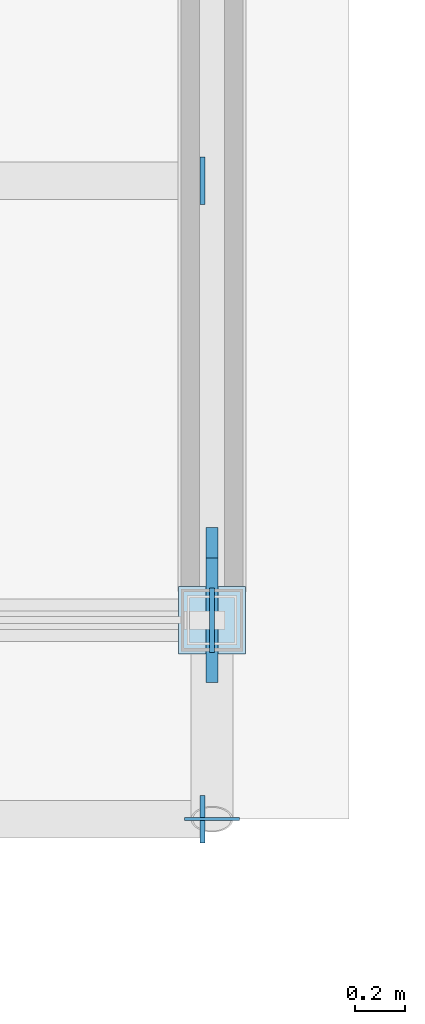
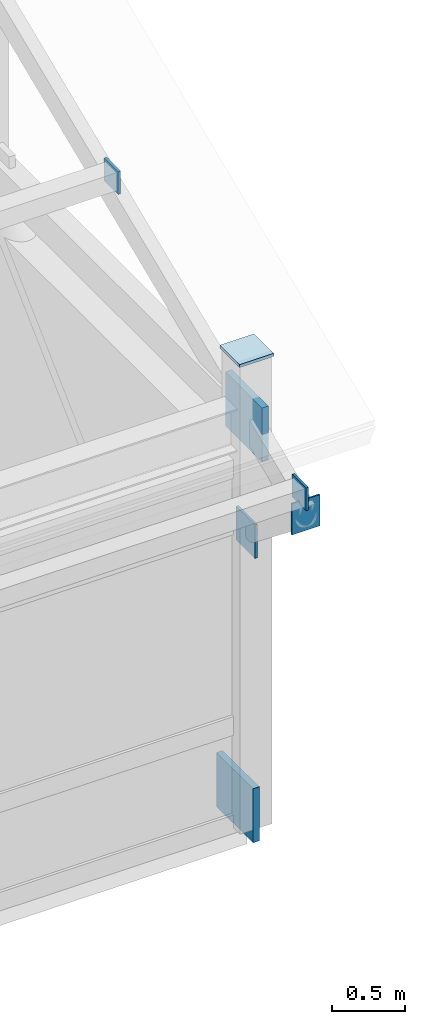
# One storey, part 5 of 11: 7 plates.
"""IFC4 building model written with IfcOpenShell, lengths in metres."""

from ifc_helpers import new_model, si_unit, direction, frame, origin, origin_2d, place, context, subcontext, project, spatial, rectangle, extrude, material, layer, layer_set, type_object, element, save


model = new_model("IFC4")

# Units and contexts
model_context = context("Model", 3, precision=1e-05, world=origin(), true_north=direction((0.0, 1.0)))
body_context = subcontext(model_context, "Body", "Model", "MODEL_VIEW")
ifc_project = project(units=[si_unit("LENGTHUNIT", "METRE"), si_unit("AREAUNIT", "SQUARE_METRE"), si_unit("VOLUMEUNIT", "CUBIC_METRE"), si_unit("PLANEANGLEUNIT", "RADIAN"), si_unit("MASSUNIT", "GRAM", prefix="KILO")], contexts=[model_context])

# Site, building, storey
site_placement = place(None, origin())
site = spatial("IfcSite", under=ifc_project, at=site_placement, CompositionType="ELEMENT")
building_placement = place(site_placement, origin())
building = spatial("IfcBuilding", under=site, at=building_placement, Name="Trelmorton Wharf Fire Station", CompositionType="ELEMENT")
storey_placement = place(building_placement, frame((0.0, 0.0, 25.199951171875)))
storey = spatial("IfcBuildingStorey", under=building, at=storey_placement, Name="L06", CompositionType="ELEMENT", Elevation=25.199951171875)

# Plates
ifc_material = material(Name="Steel Grade 350", Category="steel")
ifc_layer_1 = layer(ifc_material, 0.011962890625)
ifc_layer_set_1 = layer_set([ifc_layer_1], Name="Steel Grade 350")
plate_type_1 = type_object("IfcPlateType", Name="PL_ENDCAP_12", PredefinedType="SHEET", material=ifc_layer_set_1)
plate_1_placement = place(storey_placement, frame((90.0, 59.5, 2.90087890625), z_axis=(0.0, 0.0, 1.0), x_axis=(1.0, 0.0, 0.0)))
element("IfcPlate", 1, at=plate_1_placement, inside=storey, type_object=plate_type_1, Name="PL-EC-0147", PredefinedType="SHEET", context=body_context, shape_type="SweptSolid", body=[
    extrude(rectangle(XDim=0.219970703125, YDim=0.011962890625, at=origin_2d()), origin(), (0.0, 0.0, 1.0), 0.260009765625),
])
for number, where, z_axis, x_axis, name in (
    (2, (89.9609375, 59.5, 3.135498046875), (0.0, 0.0, 1.0), (1.0, 0.0, 0.0), "PL-PREC-B-0180"),
    (3, (89.9609375, 62.066650390625, 4.21435546875), (0.0, 0.0, 1.0), (1.0, 0.0, 0.0), "PL-PREC-B-0182"),
):
    element("IfcPlate", number, at=place(storey_placement, frame(where, z_axis=z_axis, x_axis=x_axis)), inside=storey, type_object=plate_type_1, Name=name, PredefinedType="SHEET", context=body_context, shape_type="SweptSolid", body=[
        extrude(rectangle(XDim=0.02001953125, YDim=0.18994140625, at=origin_2d()), origin(), (0.0, 0.0, 1.0), 0.18994140625),
    ])
ifc_layer_2 = layer(ifc_material, 0.02001953125)
ifc_layer_set_2 = layer_set([ifc_layer_2], Name="Steel Grade 350")
plate_type_2 = type_object("IfcPlateType", Name="PL_ENDCAP_20", PredefinedType="SHEET", material=ifc_layer_set_2)
plate_2_placement = place(storey_placement, frame((90.0, 60.300048828125, 3.898193359375), z_axis=(0.0, 0.0, 1.0), x_axis=(1.0, 0.0, 0.0)))
element("IfcPlate", 4, at=plate_2_placement, inside=storey, type_object=plate_type_2, Name="PL-COLCAP-T-0803", PredefinedType="SHEET", context=body_context, shape_type="SweptSolid", body=[
    extrude(rectangle(XDim=0.27001953125, YDim=0.27001953125, at=origin_2d()), origin(), (0.0, 0.0, 1.0), 0.02392578125),
])
plate_3_placement = place(storey_placement, frame((90.0, 60.300048828125, 2.26025390625), z_axis=(0.0, 0.0, 1.0), x_axis=(1.0, 0.0, 0.0)))
element("IfcPlate", 5, at=plate_3_placement, inside=storey, type_object=plate_type_2, Name="PL-EC-0148", PredefinedType="SHEET", context=body_context, shape_type="SweptSolid", body=[
    extrude(rectangle(XDim=0.02001953125, YDim=0.260009765625, at=origin_2d()), origin(), (0.0, 0.0, 1.0), 0.280029296875),
])
ifc_layer_3 = layer(ifc_material, 0.050048828125)
ifc_layer_set_3 = layer_set([ifc_layer_3], Name="Steel Grade 350")
plate_type_3 = type_object("IfcPlateType", Name="PL_GUSSET_TN2", PredefinedType="USERDEFINED", material=ifc_layer_set_3)
for number, where, z_axis, x_axis, name in (
    (6, (90.0, 60.300048828125, 3.14208984375), (0.0, 0.0, 1.0), (1.0, 0.0, 0.0), "PL-TN-0344"),
    (7, (90.0, 60.422119140625, -0.10498046875), (0.0, 0.0, 1.0), (1.0, 0.0, 0.0), "PL-CBF-0439"),
):
    element("IfcPlate", number, at=place(storey_placement, frame(where, z_axis=z_axis, x_axis=x_axis)), inside=storey, type_object=plate_type_3, Name=name, ObjectType="GUSSET PLATE", PredefinedType="USERDEFINED", context=body_context, shape_type="SweptSolid", body=[
        extrude(rectangle(XDim=0.050048828125, YDim=0.5, at=origin_2d()), origin(), (0.0, 0.0, 1.0), 0.449951171875),
    ])

save(model, "model.ifc")
